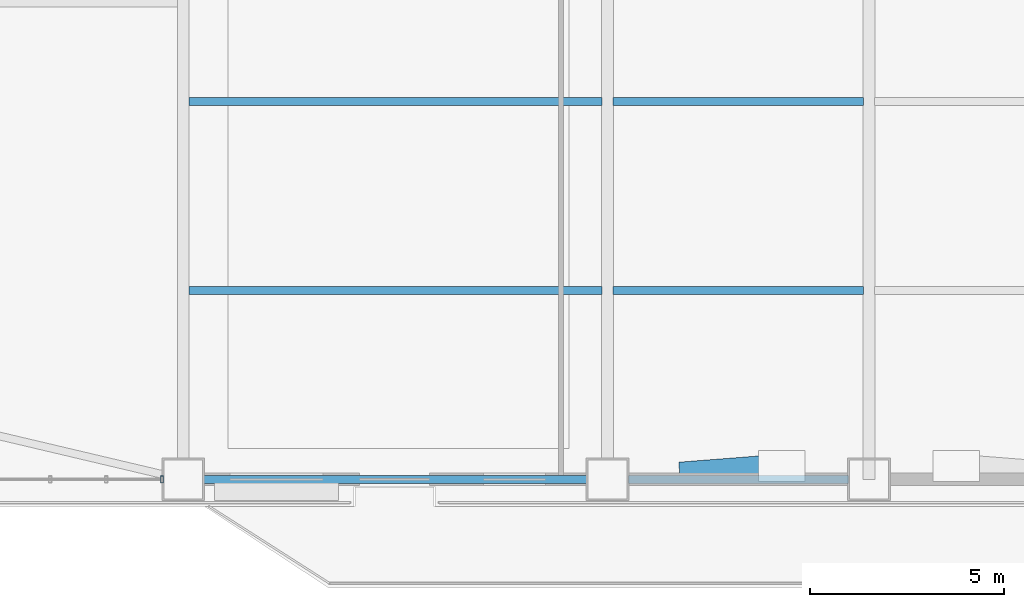
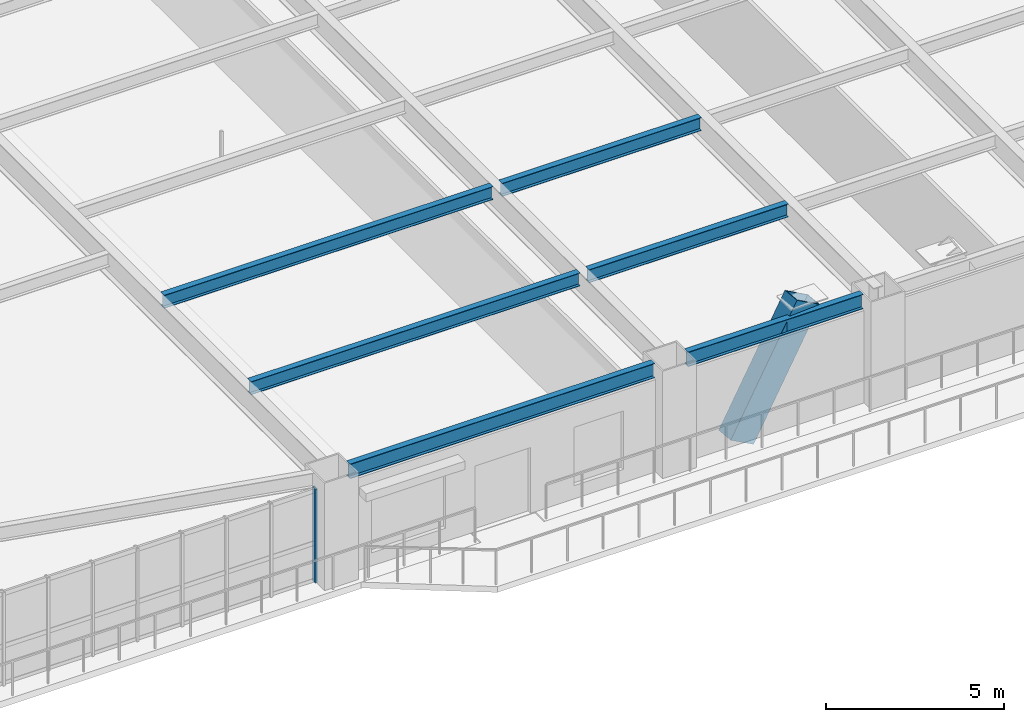
# One storey, part 4 of 17: 6 beams, 2 members, 1 element without a shape of its own.
"""IFC4 building model written with IfcOpenShell, lengths in metres."""

import ifcopenshell
import ifcopenshell.guid

model = None  # the IFC model being written
_history = None  # IfcOwnerHistory: only IFC2X3 demands one
_inside = {}  # id of a spatial element -> (the spatial element, [elements in it])
_under = {}  # id of a project, library or spatial element -> (it, [spatial elements below it])
_declared = {}  # id of a project -> (the project, [libraries it declares])
_typed = {}  # id of a type object -> (the type object, [elements of that type])
_made_of = {}  # id of a material, layer set ... -> (it, [elements and type objects made of it])


def new_model(schema):
    """Start an empty IFC model of exactly this schema.

    Asked for "IFC4X3", IfcOpenShell would pick the latest addendum, in which some entities
    have other attributes; the version numbers below select the first issue.
    IFC2X3 requires an IfcOwnerHistory on every rooted entity: one is made here for all.
    """
    global model, _history
    if schema == "IFC4X3":
        model = ifcopenshell.file(schema_version=(4, 3, 0, 0))
    else:
        model = ifcopenshell.file(schema=schema)
    _inside.clear()
    _under.clear()
    _declared.clear()
    _typed.clear()
    _made_of.clear()
    _history = None
    if model.schema == "IFC2X3":
        org = make("IfcOrganization", Name="unknown")
        user = make(
            "IfcPersonAndOrganization",
            ThePerson=make("IfcPerson", FamilyName="unknown"),
            TheOrganization=org,
        )
        app = make(
            "IfcApplication",
            ApplicationDeveloper=org,
            Version="unknown",
            ApplicationFullName="unknown",
            ApplicationIdentifier="unknown",
        )
        _history = make(
            "IfcOwnerHistory",
            OwningUser=user,
            OwningApplication=app,
            ChangeAction="ADDED",
            CreationDate=0,
        )
    return model


def make(cls, **values):
    """One entity of the class cls with the attributes given. An attribute that is None is left unset."""
    return model.create_entity(
        cls, **{name: value for name, value in values.items() if value is not None}
    )


def rooted(cls, **values):
    """An entity with a GlobalId (a new one), such as an element, a storey or a relation."""
    return make(cls, GlobalId=ifcopenshell.guid.new(), OwnerHistory=_history, **values)


def si_unit(unit_type, name, prefix=None):
    """IfcSIUnit, for example si_unit("LENGTHUNIT", "METRE", prefix="MILLI")."""
    return make("IfcSIUnit", UnitType=unit_type, Prefix=prefix, Name=name)


def assignment(units):
    """IfcUnitAssignment: the units of a project."""
    return None if units is None else make("IfcUnitAssignment", Units=units)


def point(xyz):
    """IfcCartesianPoint."""
    return None if xyz is None else make("IfcCartesianPoint", Coordinates=xyz)


def direction(xyz):
    """IfcDirection."""
    return None if xyz is None else make("IfcDirection", DirectionRatios=xyz)


def frame(location, z_axis=None, x_axis=None):
    """IfcAxis2Placement3D, a coordinate frame: its origin and axes. An axis left out is left unset."""
    return make(
        "IfcAxis2Placement3D",
        Location=point(location),
        Axis=direction(z_axis),
        RefDirection=direction(x_axis),
    )


def frame_2d(location, x_axis=None):
    """IfcAxis2Placement2D, a coordinate frame in the plane: its origin and x axis."""
    return make(
        "IfcAxis2Placement2D", Location=point(location), RefDirection=direction(x_axis)
    )


def origin():
    """The frame at (0, 0, 0) with its axes left unset."""
    return frame((0.0, 0.0, 0.0))


def origin_2d():
    """The frame at (0, 0) in the plane with its x axis left unset."""
    return frame_2d((0.0, 0.0))


def place(relative_to, where):
    """IfcLocalPlacement: puts the frame where relative to a parent placement (None: the world)."""
    return make(
        "IfcLocalPlacement", PlacementRelTo=relative_to, RelativePlacement=where
    )


def context(
    kind, dimensions, precision=None, world=None, true_north=None, identifier=None
):
    """IfcGeometricRepresentationContext, for example the 3D "Model" context."""
    return make(
        "IfcGeometricRepresentationContext",
        ContextIdentifier=identifier,
        ContextType=kind,
        CoordinateSpaceDimension=dimensions,
        Precision=precision,
        WorldCoordinateSystem=world,
        TrueNorth=true_north,
    )


def subcontext(parent, identifier, kind, view, scale=None):
    """IfcGeometricRepresentationSubContext, for example "Body" below "Model"."""
    return make(
        "IfcGeometricRepresentationSubContext",
        ContextIdentifier=identifier,
        ContextType=kind,
        ParentContext=parent,
        TargetScale=scale,
        TargetView=view,
    )


def project(units=None, contexts=None):
    """IfcProject with its units and contexts."""
    return rooted(
        "IfcProject",
        Name="project",
        RepresentationContexts=contexts,
        UnitsInContext=assignment(units),
    )


def spatial(cls, under=None, at=None, **own):
    """A site, building, storey or space (cls), placed at a placement, below another one or the project."""
    s = rooted(cls, ObjectPlacement=at, **own)
    if under is not None:
        _under.setdefault(under.id(), (under, []))[1].append(s)
    return s


def profile(cls, at=None, kind="AREA", **sizes):
    """A parametric profile (cls). Its sizes go by their IFC names, for example OverallWidth=200.0."""
    return make(cls, ProfileType=kind, Position=at, **sizes)


def hollow_rectangle(**sizes):
    """IfcRectangleHollowProfileDef."""
    return profile("IfcRectangleHollowProfileDef", **sizes)


def i_section(**sizes):
    """IfcIShapeProfileDef."""
    return profile("IfcIShapeProfileDef", **sizes)


def extrude(swept, where, along, depth):
    """IfcExtrudedAreaSolid: the profile swept, set in the frame where, extruded along a direction by depth."""
    return make(
        "IfcExtrudedAreaSolid",
        SweptArea=swept,
        Position=where,
        ExtrudedDirection=direction(along),
        Depth=depth,
    )


def shape(context_of_items, identifier, shape_type, items):
    """IfcShapeRepresentation: the items that make up one representation, for example the "Body"."""
    return make(
        "IfcShapeRepresentation",
        ContextOfItems=context_of_items,
        RepresentationIdentifier=identifier,
        RepresentationType=shape_type,
        Items=items,
    )


def source(mapping_origin, context_of_items, identifier, shape_type, items):
    """IfcRepresentationMap: a shape defined once, which mapped items show again and again."""
    return make(
        "IfcRepresentationMap",
        MappingOrigin=mapping_origin,
        MappedRepresentation=shape(context_of_items, identifier, shape_type, items),
    )


def transform(
    local_origin,
    x_axis=None,
    y_axis=None,
    z_axis=None,
    scale=None,
    scale2=None,
    scale3=None,
    uniform=True,
):
    """IfcCartesianTransformationOperator3D, or its non-uniform kind. x_axis, y_axis, z_axis: its Axis1, 2, 3."""
    if uniform:
        return make(
            "IfcCartesianTransformationOperator3D",
            Axis1=direction(x_axis),
            Axis2=direction(y_axis),
            LocalOrigin=point(local_origin),
            Scale=scale,
            Axis3=direction(z_axis),
        )
    return make(
        "IfcCartesianTransformationOperator3DnonUniform",
        Axis1=direction(x_axis),
        Axis2=direction(y_axis),
        LocalOrigin=point(local_origin),
        Scale=scale,
        Axis3=direction(z_axis),
        Scale2=scale2,
        Scale3=scale3,
    )


def mapped(mapping_source, mapping_target):
    """IfcMappedItem: shows the shape of a source again, moved by a transform."""
    return make(
        "IfcMappedItem", MappingSource=mapping_source, MappingTarget=mapping_target
    )


def material(Name=None, Category=None):
    """IfcMaterial."""
    return make("IfcMaterial", Name=Name, Category=Category)


def layer(
    of_material, thickness, ventilated=None, Name=None, Category=None, Priority=None
):
    """IfcMaterialLayer: one layer of a wall or slab, of a material (None: an air gap)."""
    return make(
        "IfcMaterialLayer",
        Material=of_material,
        LayerThickness=thickness,
        IsVentilated=ventilated,
        Name=Name,
        Category=Category,
        Priority=Priority,
    )


def layer_set(layers, Name=None):
    """IfcMaterialLayerSet."""
    return make("IfcMaterialLayerSet", MaterialLayers=layers, LayerSetName=Name)


def material_profile(
    of_material, cross_section, Name=None, Category=None, Priority=None
):
    """IfcMaterialProfile: a cross section and its material."""
    return make(
        "IfcMaterialProfile",
        Name=Name,
        Material=of_material,
        Profile=cross_section,
        Priority=Priority,
        Category=Category,
    )


def profile_set(profiles, Name=None, composite=None):
    """IfcMaterialProfileSet."""
    return make(
        "IfcMaterialProfileSet",
        Name=Name,
        MaterialProfiles=profiles,
        CompositeProfile=composite,
    )


def made_of(thing, what):
    """Note that an element or type object is made of a material, layer set ...; save() writes the relation."""
    if what is not None:
        _made_of.setdefault(what.id(), (what, []))[1].append(thing)
    return thing


def type_object(cls, material=None, **own):
    """A type object (cls), such as IfcWallType, which elements share."""
    return made_of(rooted(cls, **own), material)


def element(
    cls,
    number,
    at=None,
    inside=None,
    cuts=None,
    type_object=None,
    material=None,
    context=None,
    identifier="Body",
    shape_type=None,
    held_by="IfcProductDefinitionShape",
    body=None,
    shapes=None,
    **own,
):
    """One element of the class cls, such as IfcWall. Its Tag is "e" and its number.

    at: its placement. inside: the storey or other place that contains it. cuts: it is an
    opening in that element (IfcRelVoidsElement). A single representation is given by context,
    identifier, shape_type and body (its items); several are given by shapes. held_by: the class
    of the entity that holds the representations. save() writes the other relations.
    """
    e = rooted(cls, Tag="e%d" % number, ObjectPlacement=at, **own)
    if body is not None:
        shapes = [shape(context, identifier, shape_type, body)]
    if shapes is not None:
        e.Representation = make(held_by, Representations=shapes)
    if inside is not None:
        _inside.setdefault(inside.id(), (inside, []))[1].append(e)
    if cuts is not None:
        rooted(
            "IfcRelVoidsElement", RelatingBuildingElement=cuts, RelatedOpeningElement=e
        )
    if type_object is not None:
        _typed.setdefault(type_object.id(), (type_object, []))[1].append(e)
    return made_of(e, material)


def aggregate(whole, parts):
    """IfcRelAggregates: a whole, such as a stair, and the parts it consists of."""
    return rooted("IfcRelAggregates", RelatingObject=whole, RelatedObjects=parts)


def save(model, path):
    """Write the relations noted so far, then the file.

    IfcRelAggregates (storeys below a building ...), IfcRelContainedInSpatialStructure (elements
    in a storey), IfcRelDefinesByType, IfcRelAssociatesMaterial and IfcRelDeclares: one each for
    every whole, place, type object, material and project.
    """
    for whole, parts in _under.values():
        aggregate(whole, parts)
    for where, things in _inside.values():
        rooted(
            "IfcRelContainedInSpatialStructure",
            RelatedElements=things,
            RelatingStructure=where,
        )
    for kind, things in _typed.values():
        rooted("IfcRelDefinesByType", RelatedObjects=things, RelatingType=kind)
    for what, things in _made_of.values():
        rooted("IfcRelAssociatesMaterial", RelatedObjects=things, RelatingMaterial=what)
    for by, libraries in _declared.values():
        rooted("IfcRelDeclares", RelatingContext=by, RelatedDefinitions=libraries)
    model.write(path)


model = new_model("IFC4")

# Units and contexts
model_context = context("Model", 3, precision=1e-05, world=origin(), true_north=direction((0.0, 1.0)))
body_context = subcontext(model_context, "Body", "Model", "MODEL_VIEW")
ifc_project = project(units=[si_unit("LENGTHUNIT", "METRE"), si_unit("AREAUNIT", "SQUARE_METRE"), si_unit("VOLUMEUNIT", "CUBIC_METRE"), si_unit("PLANEANGLEUNIT", "RADIAN"), si_unit("MASSUNIT", "GRAM", prefix="KILO")], contexts=[model_context])

# Site, building, storey
site_placement = place(None, origin())
site = spatial("IfcSite", under=ifc_project, at=site_placement, CompositionType="ELEMENT")
building_placement = place(site_placement, origin())
building = spatial("IfcBuilding", under=site, at=building_placement, Name="Giltprow Tower", CompositionType="ELEMENT")
storey_placement = place(building_placement, frame((0.0, 0.0, 29.300048828125)))
storey = spatial("IfcBuildingStorey", under=building, at=storey_placement, Name="L07", CompositionType="ELEMENT", Elevation=29.300048828125)

# Beams
ifc_material_1 = material(Name="Structural steel Q355B", Category="steel")
ifc_material_profile_1 = material_profile(ifc_material_1, i_section(OverallWidth=0.199951171875, OverallDepth=0.5, WebThickness=0.010009765625, FlangeThickness=0.01611328125, at=origin_2d()), Name="HN 500x200x10x16")
ifc_profile_set_1 = profile_set([ifc_material_profile_1], Name="Structural steel Q355B")
beam_type_1 = type_object("IfcBeamType", Name="BM-SPAN-HN500", PredefinedType="SPANDREL", material=ifc_profile_set_1)
shared_shape_1 = source(origin(), body_context, "Body", "SweptSolid", [
    extrude(i_section(OverallWidth=0.199951171875, OverallDepth=0.5, WebThickness=0.010009765625, FlangeThickness=0.01611328125, at=origin_2d()), origin(), (0.0, 0.0, 1.0), 9.8798828125),
])
beam_1_placement = place(storey_placement, frame((20.385009765625, 3.300048828125, 3.429931640625), z_axis=(1.0, 0.0, 0.0), x_axis=(0.0, 1.0, 0.0)))
element("IfcBeam", 1, at=beam_1_placement, inside=storey, type_object=beam_type_1, Name="L07 Perimeter Spandrel Beam S1-S2", PredefinedType="SPANDREL", context=body_context, shape_type="MappedRepresentation", body=[
    mapped(shared_shape_1, transform((0.0, 0.0, 0.0), x_axis=(1.0, 0.0, 0.0), y_axis=(0.0, 1.0, 0.0), z_axis=(0.0, 0.0, 1.0), scale=1.0)),
])
shared_shape_2 = source(origin(), body_context, "Body", "SweptSolid", [
    extrude(i_section(OverallWidth=0.199951171875, OverallDepth=0.5, WebThickness=0.010009765625, FlangeThickness=0.01611328125, at=origin_2d()), origin(), (0.0, 0.0, 1.0), 5.679931640625),
])
beam_2_placement = place(storey_placement, frame((31.3349609375, 3.300048828125, 3.429931640625), z_axis=(1.0, 0.0, 0.0), x_axis=(0.0, 1.0, 0.0)))
element("IfcBeam", 2, at=beam_2_placement, inside=storey, type_object=beam_type_1, Name="L07 Perimeter Spandrel Beam S2-S_MID", PredefinedType="SPANDREL", context=body_context, shape_type="MappedRepresentation", body=[
    mapped(shared_shape_2, transform((0.0, 0.0, 0.0), x_axis=(1.0, 0.0, 0.0), y_axis=(0.0, 1.0, 0.0), z_axis=(0.0, 0.0, 1.0), scale=1.0)),
])
ifc_material_profile_2 = material_profile(ifc_material_1, i_section(OverallWidth=0.199951171875, OverallDepth=0.449951171875, WebThickness=0.009033203125, FlangeThickness=0.013916015625, at=origin_2d()), Name="HN 450x200x9x14")
ifc_profile_set_2 = profile_set([ifc_material_profile_2], Name="Structural steel Q355B")
beam_type_2 = type_object("IfcBeamType", Name="BM-JOIST-HN450", PredefinedType="JOIST", material=ifc_profile_set_2)
shared_shape_3 = source(origin(), body_context, "Body", "SweptSolid", [
    extrude(i_section(OverallWidth=0.199951171875, OverallDepth=0.449951171875, WebThickness=0.009033203125, FlangeThickness=0.013916015625, at=origin_2d()), origin(), (0.0, 0.0, 1.0), 10.659912109375),
])
for number, where, z_axis, x_axis, name in (
    (3, (19.9951171875, 8.178955078125, 3.454833984375), (1.0, 0.0, 0.0), (0.0, 1.0, 0.0), "L07 Composite Floor Joist 1-1"),
    (4, (19.9951171875, 13.056884765625, 3.454833984375), (1.0, 0.0, 0.0), (0.0, 1.0, 0.0), "L07 Composite Floor Joist 2-1"),
):
    element("IfcBeam", number, at=place(storey_placement, frame(where, z_axis=z_axis, x_axis=x_axis)), inside=storey, type_object=beam_type_2, Name=name, PredefinedType="JOIST", context=body_context, shape_type="MappedRepresentation", body=[
        mapped(shared_shape_3, transform((0.0, 0.0, 0.0), x_axis=(1.0, 0.0, 0.0), y_axis=(0.0, 1.0, 0.0), z_axis=(0.0, 0.0, 1.0), scale=1.0)),
    ])
shared_shape_4 = source(origin(), body_context, "Body", "SweptSolid", [
    extrude(i_section(OverallWidth=0.199951171875, OverallDepth=0.449951171875, WebThickness=0.009033203125, FlangeThickness=0.013916015625, at=origin_2d()), origin(), (0.0, 0.0, 1.0), 6.4599609375),
])
for number, where, z_axis, x_axis, name in (
    (5, (30.945068359375, 8.178955078125, 3.454833984375), (1.0, 0.0, 0.0), (0.0, 1.0, 0.0), "L07 Composite Floor Joist 1-2"),
    (6, (30.945068359375, 13.056884765625, 3.454833984375), (1.0, 0.0, 0.0), (0.0, 1.0, 0.0), "L07 Composite Floor Joist 2-2"),
):
    element("IfcBeam", number, at=place(storey_placement, frame(where, z_axis=z_axis, x_axis=x_axis)), inside=storey, type_object=beam_type_2, Name=name, PredefinedType="JOIST", context=body_context, shape_type="MappedRepresentation", body=[
        mapped(shared_shape_4, transform((0.0, 0.0, 0.0), x_axis=(1.0, 0.0, 0.0), y_axis=(0.0, 1.0, 0.0), z_axis=(0.0, 0.0, 1.0), scale=1.0)),
    ])

# Member
ifc_material_2 = material(Name="Structural steel Q420GJC", Category="steel")
ifc_material_profile_3 = material_profile(ifc_material_2, hollow_rectangle(XDim=0.60009765625, YDim=0.89990234375, WallThickness=0.0400390625, at=origin_2d()), Name="RHS 900x600x40")
ifc_profile_set_3 = profile_set([ifc_material_profile_3], Name="Structural steel Q420GJC")
member_type_1 = type_object("IfcMemberType", Name="MBR-MEGA-RHS900", PredefinedType="BRACE", material=ifc_profile_set_3)
shared_shape_5 = source(origin(), body_context, "Body", "SweptSolid", [
    extrude(hollow_rectangle(XDim=0.60009765625, YDim=0.89990234375, WallThickness=0.0400390625, at=origin_2d()), origin(), (0.0, 0.0, 1.0), 4.505859375),
])
member_1_placement = place(storey_placement, frame((33.050048828125, 3.47607421875, 0.0), z_axis=(0.49935563087, 0.038795424447, 0.865528086754), x_axis=(-0.077457561353, 0.996995650035, 0.0)))
element("IfcMember", 7, at=member_1_placement, inside=storey, type_object=member_type_1, Name="L07 Chevron Mega-Brace S-L", PredefinedType="BRACE", context=body_context, shape_type="MappedRepresentation", body=[
    mapped(shared_shape_5, transform((0.0, 0.0, 0.0), x_axis=(1.0, 0.0, 0.0), y_axis=(0.0, 1.0, 0.0), z_axis=(0.0, 0.0, 1.0), scale=1.0)),
])

# Curtain wall, member
ifc_material_3 = material(Name="Anodized bronze", Category="metal")
ifc_layer = layer(ifc_material_3, 0.179931640625, Name="Anodized bronze")
ifc_layer_set = layer_set([ifc_layer], Name="Anodized bronze")
curtain_wall_type = type_object("IfcCurtainWallType", Name="CW-OFF-RECESSED", PredefinedType="NOTDEFINED", material=ifc_layer_set)
curtain_wall_placement = place(storey_placement, origin())
curtain_wall = element("IfcCurtainWall", 8, at=curtain_wall_placement, inside=storey, type_object=curtain_wall_type, Name="L07 South Recessed Curtain Wall 1", PredefinedType="NOTDEFINED")
ifc_material_profile_4 = material_profile(ifc_material_3, hollow_rectangle(XDim=0.074951171875, YDim=0.179931640625, WallThickness=0.008056640625, at=origin_2d()), Name="RHS 180x75x8")
ifc_profile_set_4 = profile_set([ifc_material_profile_4], Name="Anodized bronze")
member_type_2 = type_object("IfcMemberType", Name="CW-MULLION-180x75", PredefinedType="MULLION", material=ifc_profile_set_4)
shared_shape_6 = source(origin(), body_context, "Body", "SweptSolid", [
    extrude(hollow_rectangle(XDim=0.074951171875, YDim=0.179931640625, WallThickness=0.008056640625, at=origin_2d()), origin(), (0.0, 0.0, 1.0), 3.215087890625),
])
member_2_placement = place(storey_placement, frame((19.300048828125, 3.300048828125, -0.02001953125), z_axis=(0.0, 0.0, 1.0), x_axis=(1.0, 0.0, 0.0)))
member_2 = element("IfcMember", 9, at=member_2_placement, type_object=member_type_2, Name="L07 South Recessed Curtain Wall 1 Mullion 10", PredefinedType="MULLION", context=body_context, shape_type="MappedRepresentation", body=[
    mapped(shared_shape_6, transform((0.0, 0.0, 0.0), x_axis=(1.0, 0.0, 0.0), y_axis=(0.0, 1.0, 0.0), z_axis=(0.0, 0.0, 1.0), scale=1.0)),
])
aggregate(curtain_wall, [member_2])

save(model, "model.ifc")
